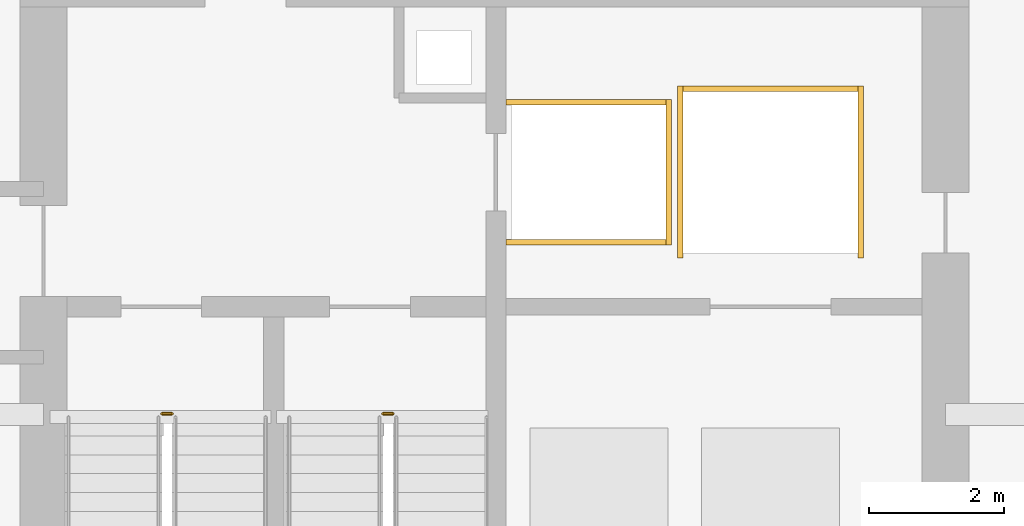
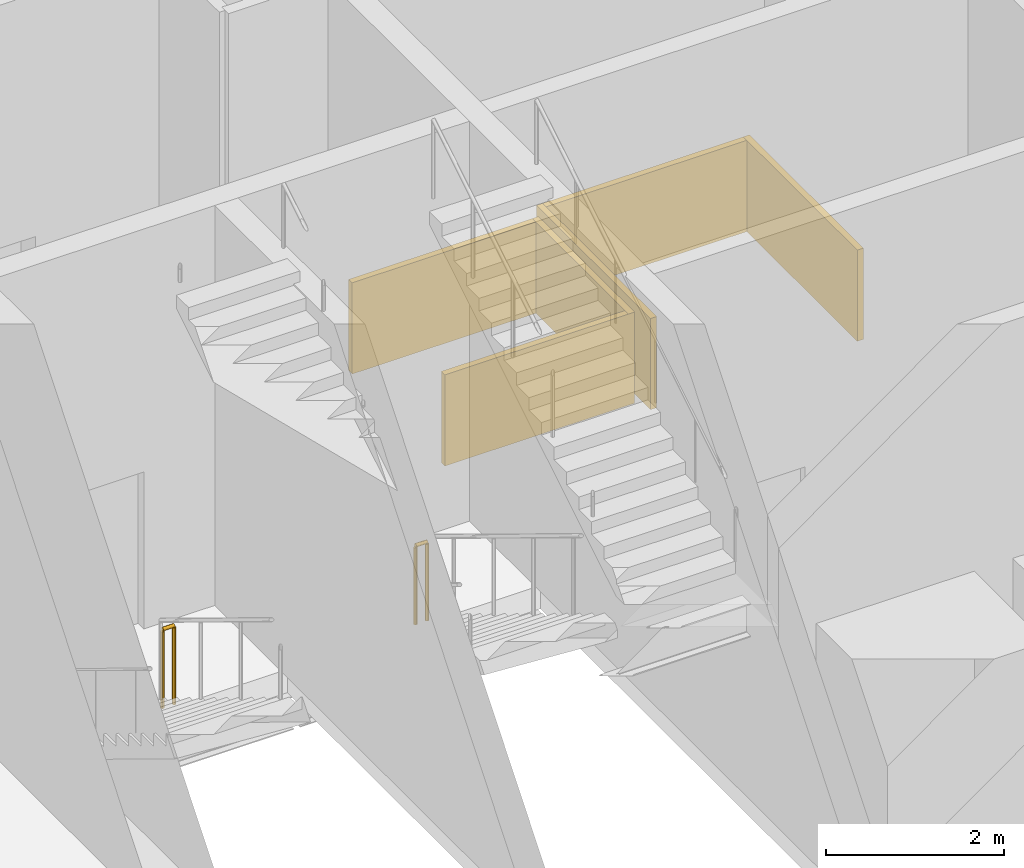
# One storey, part 17 of 19: 6 coverings, 2 railings.
"""IFC4 building model written with IfcOpenShell, lengths in metres."""

from ifc_helpers import new_model, si_unit, direction, frame, origin, origin_2d, place, context, subcontext, project, spatial, rectangle, circle, extrude, material, layer, layer_set, type_object, element, save


model = new_model("IFC4")

# Units and contexts
model_context = context("Model", 3, precision=1e-05, world=origin(), true_north=direction((0.0, 1.0)))
body_context = subcontext(model_context, "Body", "Model", "MODEL_VIEW")
ifc_project = project(units=[si_unit("LENGTHUNIT", "METRE"), si_unit("AREAUNIT", "SQUARE_METRE"), si_unit("VOLUMEUNIT", "CUBIC_METRE"), si_unit("PLANEANGLEUNIT", "RADIAN"), si_unit("MASSUNIT", "GRAM", prefix="KILO")], contexts=[model_context])

# Site, building, storey
site_placement = place(None, origin())
site = spatial("IfcSite", under=ifc_project, at=site_placement, CompositionType="ELEMENT")
building_placement = place(site_placement, origin())
building = spatial("IfcBuilding", under=site, at=building_placement, Name="Solvaryn Broadcast Tower", CompositionType="ELEMENT")
storey_placement = place(building_placement, origin())
storey = spatial("IfcBuildingStorey", under=building, at=storey_placement, Name="L00", CompositionType="ELEMENT", Elevation=0.0)

# Coverings
ifc_material_1 = material(Name="Fire-Rated Gypsum Shaftwall Liner", Category="concrete")
ifc_layer = layer(ifc_material_1, 0.080078125)
ifc_layer_set = layer_set([ifc_layer], Name="CV-SHAFT-LINER")
covering_type = type_object("IfcCoveringType", Name="CV-SHAFT-LINER", PredefinedType="CLADDING", material=ifc_layer_set)
for number, where, z_axis, x_axis, name in (
    (1, (19.300048828125, 40.639892578125, 0.0), (0.0, 0.0, 1.0), (1.0, 0.0, 0.0), "L00 FL1 Hoistway Shaft Liner North"),
    (2, (19.300048828125, 38.56005859375, 0.0), (0.0, 0.0, 1.0), (1.0, 0.0, 0.0), "L00 FL1 Hoistway Shaft Liner South"),
):
    element("IfcCovering", number, at=place(storey_placement, frame(where, z_axis=z_axis, x_axis=x_axis)), inside=storey, type_object=covering_type, Name=name, PredefinedType="CLADDING", context=body_context, shape_type="SweptSolid", body=[
        extrude(rectangle(XDim=2.4599609375, YDim=0.080078125, at=origin_2d()), origin(), (0.0, 0.0, 1.0), 1.25),
    ])
covering_1_placement = place(storey_placement, frame((20.489990234375, 39.60009765625, 0.0), z_axis=(0.0, 0.0, 1.0), x_axis=(1.0, 0.0, 0.0)))
element("IfcCovering", 3, at=covering_1_placement, inside=storey, type_object=covering_type, Name="L00 FL1 Hoistway Shaft Liner East", PredefinedType="CLADDING", context=body_context, shape_type="SweptSolid", body=[
    extrude(rectangle(XDim=0.080078125, YDim=2.159912109375, at=origin_2d()), origin(), (0.0, 0.0, 1.0), 1.25),
])
covering_2_placement = place(storey_placement, frame((22.0, 40.840087890625, 0.0), z_axis=(0.0, 0.0, 1.0), x_axis=(1.0, 0.0, 0.0)))
element("IfcCovering", 4, at=covering_2_placement, inside=storey, type_object=covering_type, Name="L00 SV1 Hoistway Shaft Liner North", PredefinedType="CLADDING", context=body_context, shape_type="SweptSolid", body=[
    extrude(rectangle(XDim=2.760009765625, YDim=0.080078125, at=origin_2d()), origin(), (0.0, 0.0, 1.0), 1.25),
])
for number, where, z_axis, x_axis, name in (
    (5, (23.340087890625, 39.60009765625, 0.0), (0.0, 0.0, 1.0), (1.0, 0.0, 0.0), "L00 SV1 Hoistway Shaft Liner East"),
    (6, (20.659912109375, 39.60009765625, 0.0), (0.0, 0.0, 1.0), (1.0, 0.0, 0.0), "L00 SV1 Hoistway Shaft Liner West"),
):
    element("IfcCovering", number, at=place(storey_placement, frame(where, z_axis=z_axis, x_axis=x_axis)), inside=storey, type_object=covering_type, Name=name, PredefinedType="CLADDING", context=body_context, shape_type="SweptSolid", body=[
        extrude(rectangle(XDim=0.080078125, YDim=2.56005859375, at=origin_2d()), origin(), (0.0, 0.0, 1.0), 1.25),
    ])

# Railings
ifc_material_2 = material(Name="Painted Steel Stair Well Guard", Category="steel")
railing_type = type_object("IfcRailingType", Name="RL-STAIR-GUARD", PredefinedType="BALUSTRADE", material=ifc_material_2)
railing_1_placement = place(storey_placement, frame((12.9599609375, 36.010009765625, 0.0)))
element("IfcRailing", 7, at=railing_1_placement, inside=storey, type_object=railing_type, Name="L00 ST1 stair guard 4", PredefinedType="BALUSTRADE", context=body_context, shape_type="SweptSolid", body=[
    extrude(circle(Radius=0.02392578125, at=origin_2d()), frame((0.0, 0.0, 1.076171875), z_axis=(1.0, 0.0, 0.0), x_axis=(0.0, 1.0, 0.0)), (0.0, 0.0, 1.0), 0.150146484375),
    extrude(circle(Radius=0.02099609375, at=origin_2d()), origin(), (0.0, 0.0, 1.0), 1.052001953125),
    extrude(circle(Radius=0.02099609375, at=origin_2d()), frame((0.150146484375, 0.0, 0.0)), (0.0, 0.0, 1.0), 1.052001953125),
])
railing_2_placement = place(storey_placement, frame((16.239990234375, 36.010009765625, 0.0)))
element("IfcRailing", 8, at=railing_2_placement, inside=storey, type_object=railing_type, Name="L00 ST2 stair guard 4", PredefinedType="BALUSTRADE", context=body_context, shape_type="SweptSolid", body=[
    extrude(circle(Radius=0.02392578125, at=origin_2d()), frame((0.0, 0.0, 1.076171875), z_axis=(1.0, 0.0, 0.0), x_axis=(0.0, 1.0, 0.0)), (0.0, 0.0, 1.0), 0.14990234375),
    extrude(circle(Radius=0.02099609375, at=origin_2d()), origin(), (0.0, 0.0, 1.0), 1.052001953125),
    extrude(circle(Radius=0.02099609375, at=origin_2d()), frame((0.14990234375, 0.0, 0.0)), (0.0, 0.0, 1.0), 1.052001953125),
])

save(model, "model.ifc")
